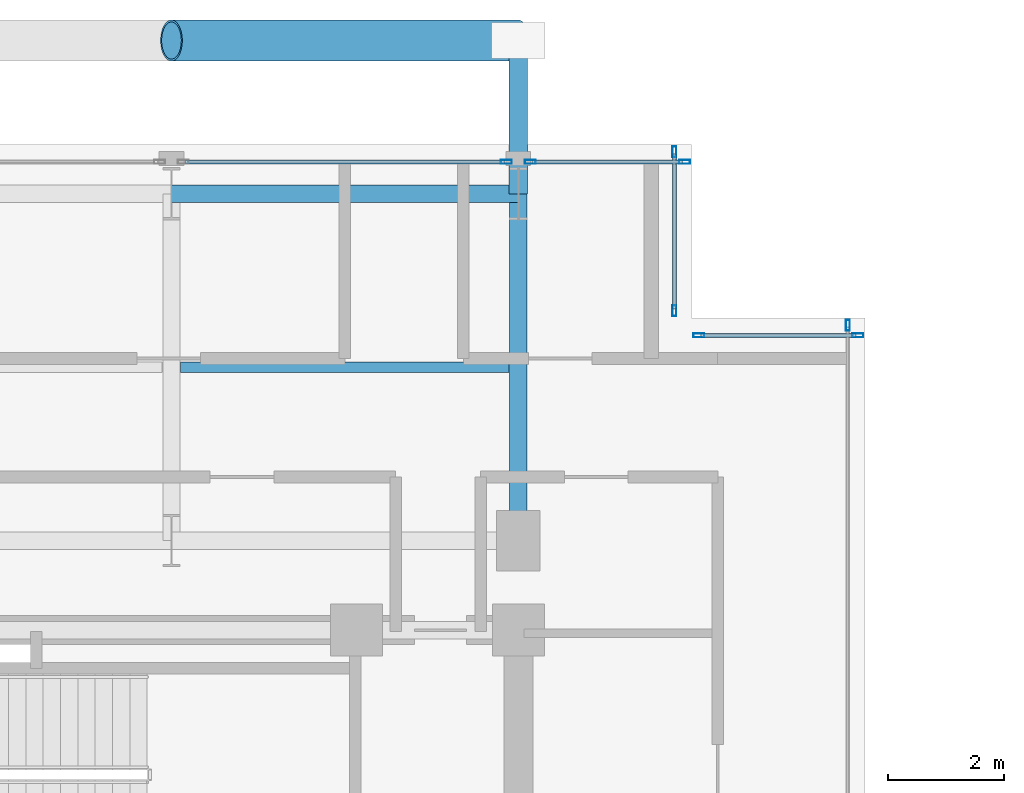
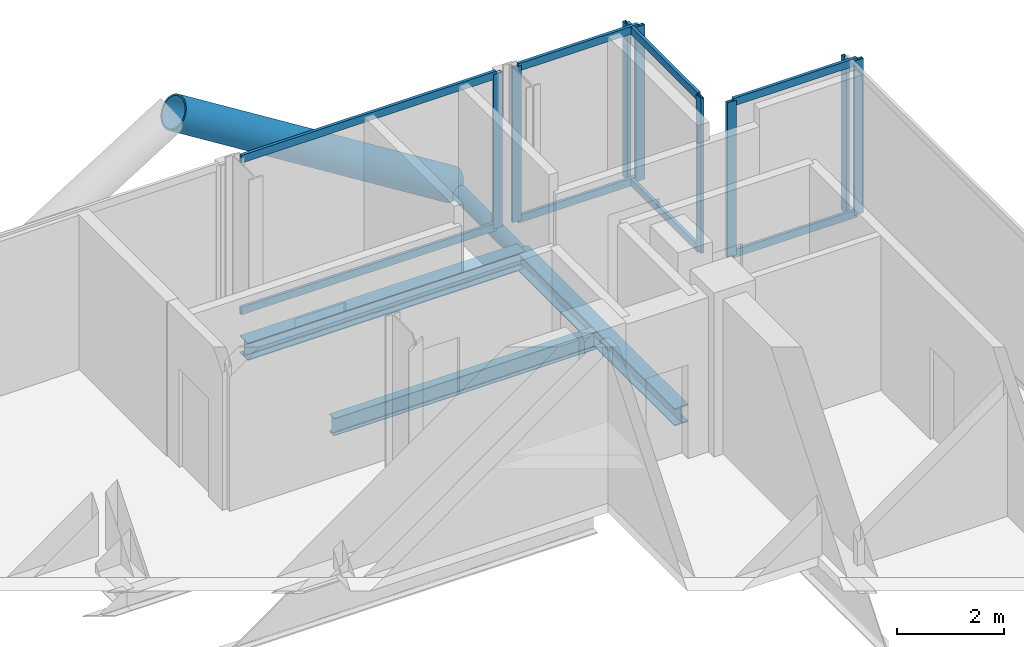
# One storey, part 15 of 26: 18 members, 3 beams, 5 elements without a shape of their own.
"""IFC4 building model written with IfcOpenShell, lengths in metres."""

from ifc_helpers import new_model, si_unit, direction, frame, origin, origin_2d, place, context, subcontext, project, spatial, hollow_rectangle, hollow_circle, i_section, extrude, material, layer, layer_set, material_profile, profile_set, type_object, element, aggregate, save


model = new_model("IFC4")

# Units and contexts
model_context = context("Model", 3, precision=1e-05, world=origin(), true_north=direction((0.0, 1.0)))
body_context = subcontext(model_context, "Body", "Model", "MODEL_VIEW")
ifc_project = project(units=[si_unit("LENGTHUNIT", "METRE"), si_unit("AREAUNIT", "SQUARE_METRE"), si_unit("VOLUMEUNIT", "CUBIC_METRE"), si_unit("PLANEANGLEUNIT", "RADIAN"), si_unit("MASSUNIT", "GRAM", prefix="KILO"), si_unit("THERMODYNAMICTEMPERATUREUNIT", "KELVIN"), si_unit("POWERUNIT", "WATT")], contexts=[model_context])

# Site, building, storey
site_placement = place(None, origin())
site = spatial("IfcSite", under=ifc_project, at=site_placement, CompositionType="ELEMENT")
building_placement = place(site_placement, origin())
building = spatial("IfcBuilding", under=site, at=building_placement, Name="Svarakhadi Broadcast Tower", CompositionType="ELEMENT")
storey_placement = place(building_placement, frame((0.0, 0.0, 180.449951171875)))
storey = spatial("IfcBuildingStorey", under=building, at=storey_placement, Name="L44", CompositionType="ELEMENT", Elevation=180.449951171875)

# Beam
ifc_material_1 = material(Name="Steel S355J2 (IS 2062 E350C)", Category="steel")
ifc_material_profile_1 = material_profile(ifc_material_1, i_section(OverallWidth=0.179931640625, OverallDepth=0.39990234375, WebThickness=0.008544921875, FlangeThickness=0.013427734375, FilletRadius=0.02099609375, at=origin_2d()), Name="NPB 400x180x66")
ifc_profile_set_1 = profile_set([ifc_material_profile_1], Name="Steel S355J2 (IS 2062 E350C)")
beam_type_1 = type_object("IfcBeamType", Name="Beam_NPB400", PredefinedType="BEAM", material=ifc_profile_set_1)
beam_placement = place(storey_placement, frame((12.159912109375, 32.14990234375, -0.409912109375), z_axis=(1.0, 0.0, 0.0), x_axis=(0.0, 1.0, 0.0)))
element("IfcBeam", 1, at=beam_placement, inside=storey, type_object=beam_type_1, Name="L44 Secondary Composite Beam SB012", PredefinedType="BEAM", context=body_context, shape_type="SweptSolid", body=[
    extrude(i_section(OverallWidth=0.179931640625, OverallDepth=0.39990234375, WebThickness=0.008544921875, FlangeThickness=0.013427734375, FilletRadius=0.02099609375, at=origin_2d()), origin(), (0.0, 0.0, 1.0), 5.68017578125),
])

# Curtain wall, member
ifc_material_2 = material(Name="Anodised Bronze Aluminium AA 6063-T6", Category="aluminium")
ifc_layer = layer(ifc_material_2, 0.18994140625)
ifc_layer_set = layer_set([ifc_layer], Name="Anodised Bronze Aluminium AA 6063-T6")
curtain_wall_type = type_object("IfcCurtainWallType", Name="CW_Sys_04", PredefinedType="NOTDEFINED", material=ifc_layer_set)
curtain_wall_1_placement = place(storey_placement, origin())
curtain_wall_1 = element("IfcCurtainWall", 2, at=curtain_wall_1_placement, inside=storey, type_object=curtain_wall_type, Name="L44 Unitised Facade Curtain Wall 06 Bay 2", PredefinedType="NOTDEFINED")
ifc_material_profile_2 = material_profile(ifc_material_2, hollow_rectangle(XDim=0.070068359375, YDim=0.18994140625, WallThickness=0.005615234375, at=origin_2d()), Name="ALU MULLION 190x70x6")
ifc_profile_set_2 = profile_set([ifc_material_profile_2], Name="Anodised Bronze Aluminium AA 6063-T6")
member_type_1 = type_object("IfcMemberType", Name="CW_Sys_04_Mul", PredefinedType="MULLION", material=ifc_profile_set_2)
member_1_placement = place(storey_placement, frame((17.794921875, 35.699951171875, 0.0), z_axis=(0.0, 0.0, 1.0), x_axis=(0.0, 1.0, 0.0)))
member_1 = element("IfcMember", 3, at=member_1_placement, type_object=member_type_1, Name="CW-04 mullion 2", PredefinedType="MULLION", context=body_context, shape_type="SweptSolid", body=[
    extrude(hollow_rectangle(XDim=0.070068359375, YDim=0.18994140625, WallThickness=0.005615234375, at=origin_2d()), origin(), (0.0, 0.0, 1.0), 3.5400390625),
])

# Curtain wall, members
curtain_wall_2_placement = place(storey_placement, origin())
curtain_wall_2 = element("IfcCurtainWall", 4, at=curtain_wall_2_placement, inside=storey, type_object=curtain_wall_type, Name="L44 Unitised Facade Curtain Wall 06 Bay 3", PredefinedType="NOTDEFINED")
member_2_placement = place(storey_placement, frame((18.205078125, 35.699951171875, 0.0), z_axis=(0.0, 0.0, 1.0), x_axis=(0.0, 1.0, 0.0)))
member_2 = element("IfcMember", 5, at=member_2_placement, type_object=member_type_1, Name="CW-04 mullion 1", PredefinedType="MULLION", context=body_context, shape_type="SweptSolid", body=[
    extrude(hollow_rectangle(XDim=0.070068359375, YDim=0.18994140625, WallThickness=0.005615234375, at=origin_2d()), origin(), (0.0, 0.0, 1.0), 3.5400390625),
])
member_3_placement = place(storey_placement, frame((20.875, 35.699951171875, 0.0), z_axis=(0.0, 0.0, 1.0), x_axis=(0.0, 1.0, 0.0)))
member_3 = element("IfcMember", 6, at=member_3_placement, type_object=member_type_1, Name="CW-04 mullion 2", PredefinedType="MULLION", context=body_context, shape_type="SweptSolid", body=[
    extrude(hollow_rectangle(XDim=0.070068359375, YDim=0.18994140625, WallThickness=0.005615234375, at=origin_2d()), origin(), (0.0, 0.0, 1.0), 3.5400390625),
])

curtain_wall_3_placement = place(storey_placement, origin())
curtain_wall_3 = element("IfcCurtainWall", 7, at=curtain_wall_3_placement, inside=storey, type_object=curtain_wall_type, Name="L44 Unitised Facade Curtain Wall 07", PredefinedType="NOTDEFINED")
member_4_placement = place(storey_placement, frame((20.699951171875, 35.875, 0.0), z_axis=(0.0, 0.0, 1.0), x_axis=(1.0, 0.0, 0.0)))
member_4 = element("IfcMember", 8, at=member_4_placement, type_object=member_type_1, Name="CW-04 mullion 1", PredefinedType="MULLION", context=body_context, shape_type="SweptSolid", body=[
    extrude(hollow_rectangle(XDim=0.070068359375, YDim=0.18994140625, WallThickness=0.005615234375, at=origin_2d()), origin(), (0.0, 0.0, 1.0), 3.5400390625),
])
member_5_placement = place(storey_placement, frame((20.699951171875, 33.125, 0.0), z_axis=(0.0, 0.0, 1.0), x_axis=(1.0, 0.0, 0.0)))
member_5 = element("IfcMember", 9, at=member_5_placement, type_object=member_type_1, Name="CW-04 mullion 2", PredefinedType="MULLION", context=body_context, shape_type="SweptSolid", body=[
    extrude(hollow_rectangle(XDim=0.070068359375, YDim=0.18994140625, WallThickness=0.005615234375, at=origin_2d()), origin(), (0.0, 0.0, 1.0), 3.5400390625),
])

curtain_wall_4_placement = place(storey_placement, origin())
curtain_wall_4 = element("IfcCurtainWall", 10, at=curtain_wall_4_placement, inside=storey, type_object=curtain_wall_type, Name="L44 Unitised Facade Curtain Wall 08", PredefinedType="NOTDEFINED")
member_6_placement = place(storey_placement, frame((21.125, 32.699951171875, 0.0), z_axis=(0.0, 0.0, 1.0), x_axis=(0.0, 1.0, 0.0)))
member_6 = element("IfcMember", 11, at=member_6_placement, type_object=member_type_1, Name="CW-04 mullion 1", PredefinedType="MULLION", context=body_context, shape_type="SweptSolid", body=[
    extrude(hollow_rectangle(XDim=0.070068359375, YDim=0.18994140625, WallThickness=0.005615234375, at=origin_2d()), origin(), (0.0, 0.0, 1.0), 3.5400390625),
])
member_7_placement = place(storey_placement, frame((23.875, 32.699951171875, 0.0), z_axis=(0.0, 0.0, 1.0), x_axis=(0.0, 1.0, 0.0)))
member_7 = element("IfcMember", 12, at=member_7_placement, type_object=member_type_1, Name="CW-04 mullion 2", PredefinedType="MULLION", context=body_context, shape_type="SweptSolid", body=[
    extrude(hollow_rectangle(XDim=0.070068359375, YDim=0.18994140625, WallThickness=0.005615234375, at=origin_2d()), origin(), (0.0, 0.0, 1.0), 3.5400390625),
])

# Curtain wall, member
curtain_wall_5_placement = place(storey_placement, origin())
curtain_wall_5 = element("IfcCurtainWall", 13, at=curtain_wall_5_placement, inside=storey, type_object=curtain_wall_type, Name="L44 Unitised Facade Curtain Wall 09", PredefinedType="NOTDEFINED")
member_8_placement = place(storey_placement, frame((23.699951171875, 32.875, 0.0), z_axis=(0.0, 0.0, 1.0), x_axis=(1.0, 0.0, 0.0)))
member_8 = element("IfcMember", 14, at=member_8_placement, type_object=member_type_1, Name="CW-04 mullion 1", PredefinedType="MULLION", context=body_context, shape_type="SweptSolid", body=[
    extrude(hollow_rectangle(XDim=0.070068359375, YDim=0.18994140625, WallThickness=0.005615234375, at=origin_2d()), origin(), (0.0, 0.0, 1.0), 3.5400390625),
])
aggregate(curtain_wall_5, [member_8])

# Member
ifc_material_profile_3 = material_profile(ifc_material_2, hollow_rectangle(XDim=0.06494140625, YDim=0.175048828125, WallThickness=0.0048828125, at=origin_2d()), Name="ALU TRANSOM 175x65x5")
ifc_profile_set_3 = profile_set([ifc_material_profile_3], Name="Anodised Bronze Aluminium AA 6063-T6")
member_type_2 = type_object("IfcMemberType", Name="CW_Sys_04_Trn", PredefinedType="USERDEFINED", material=ifc_profile_set_3)
member_9_placement = place(storey_placement, frame((12.239990234375, 35.699951171875, 0.032470703125), z_axis=(1.0, 0.0, 0.0), x_axis=(0.0, 1.0, 0.0)))
member_9 = element("IfcMember", 15, at=member_9_placement, type_object=member_type_2, Name="CW-04 transom 1.1", ObjectType="TRANSOM", PredefinedType="USERDEFINED", context=body_context, shape_type="SweptSolid", body=[
    extrude(hollow_rectangle(XDim=0.06494140625, YDim=0.175048828125, WallThickness=0.0048828125, at=origin_2d()), origin(), (0.0, 0.0, 1.0), 5.52001953125),
])

member_10_placement = place(storey_placement, frame((12.239990234375, 35.699951171875, 3.507568359375), z_axis=(1.0, 0.0, 0.0), x_axis=(0.0, 1.0, 0.0)))
member_10 = element("IfcMember", 16, at=member_10_placement, type_object=member_type_2, Name="CW-04 transom 1.2", ObjectType="TRANSOM", PredefinedType="USERDEFINED", context=body_context, shape_type="SweptSolid", body=[
    extrude(hollow_rectangle(XDim=0.06494140625, YDim=0.175048828125, WallThickness=0.0048828125, at=origin_2d()), origin(), (0.0, 0.0, 1.0), 5.52001953125),
])

aggregate(curtain_wall_1, [member_1, member_9, member_10])

member_11_placement = place(storey_placement, frame((18.239990234375, 35.699951171875, 0.032470703125), z_axis=(1.0, 0.0, 0.0), x_axis=(0.0, 1.0, 0.0)))
member_11 = element("IfcMember", 17, at=member_11_placement, type_object=member_type_2, Name="CW-04 transom 1.1", ObjectType="TRANSOM", PredefinedType="USERDEFINED", context=body_context, shape_type="SweptSolid", body=[
    extrude(hollow_rectangle(XDim=0.06494140625, YDim=0.175048828125, WallThickness=0.0048828125, at=origin_2d()), origin(), (0.0, 0.0, 1.0), 2.60009765625),
])

member_12_placement = place(storey_placement, frame((18.239990234375, 35.699951171875, 3.507568359375), z_axis=(1.0, 0.0, 0.0), x_axis=(0.0, 1.0, 0.0)))
member_12 = element("IfcMember", 18, at=member_12_placement, type_object=member_type_2, Name="CW-04 transom 1.2", ObjectType="TRANSOM", PredefinedType="USERDEFINED", context=body_context, shape_type="SweptSolid", body=[
    extrude(hollow_rectangle(XDim=0.06494140625, YDim=0.175048828125, WallThickness=0.0048828125, at=origin_2d()), origin(), (0.0, 0.0, 1.0), 2.60009765625),
])

aggregate(curtain_wall_2, [member_2, member_3, member_11, member_12])

member_13_placement = place(storey_placement, frame((20.699951171875, 35.840087890625, 0.032470703125), z_axis=(0.0, -1.0, 0.0), x_axis=(1.0, 0.0, 0.0)))
member_13 = element("IfcMember", 19, at=member_13_placement, type_object=member_type_2, Name="CW-04 transom 1.1", ObjectType="TRANSOM", PredefinedType="USERDEFINED", context=body_context, shape_type="SweptSolid", body=[
    extrude(hollow_rectangle(XDim=0.06494140625, YDim=0.175048828125, WallThickness=0.0048828125, at=origin_2d()), origin(), (0.0, 0.0, 1.0), 2.68017578125),
])

member_14_placement = place(storey_placement, frame((20.699951171875, 35.840087890625, 3.507568359375), z_axis=(0.0, -1.0, 0.0), x_axis=(1.0, 0.0, 0.0)))
member_14 = element("IfcMember", 20, at=member_14_placement, type_object=member_type_2, Name="CW-04 transom 1.2", ObjectType="TRANSOM", PredefinedType="USERDEFINED", context=body_context, shape_type="SweptSolid", body=[
    extrude(hollow_rectangle(XDim=0.06494140625, YDim=0.175048828125, WallThickness=0.0048828125, at=origin_2d()), origin(), (0.0, 0.0, 1.0), 2.68017578125),
])

aggregate(curtain_wall_3, [member_4, member_5, member_13, member_14])

member_15_placement = place(storey_placement, frame((21.159912109375, 32.699951171875, 0.032470703125), z_axis=(1.0, 0.0, 0.0), x_axis=(0.0, 1.0, 0.0)))
member_15 = element("IfcMember", 21, at=member_15_placement, type_object=member_type_2, Name="CW-04 transom 1.1", ObjectType="TRANSOM", PredefinedType="USERDEFINED", context=body_context, shape_type="SweptSolid", body=[
    extrude(hollow_rectangle(XDim=0.06494140625, YDim=0.175048828125, WallThickness=0.0048828125, at=origin_2d()), origin(), (0.0, 0.0, 1.0), 2.68017578125),
])

member_16_placement = place(storey_placement, frame((21.159912109375, 32.699951171875, 3.507568359375), z_axis=(1.0, 0.0, 0.0), x_axis=(0.0, 1.0, 0.0)))
member_16 = element("IfcMember", 22, at=member_16_placement, type_object=member_type_2, Name="CW-04 transom 1.2", ObjectType="TRANSOM", PredefinedType="USERDEFINED", context=body_context, shape_type="SweptSolid", body=[
    extrude(hollow_rectangle(XDim=0.06494140625, YDim=0.175048828125, WallThickness=0.0048828125, at=origin_2d()), origin(), (0.0, 0.0, 1.0), 2.68017578125),
])

aggregate(curtain_wall_4, [member_6, member_7, member_15, member_16])

# Members
ifc_material_3 = material(Name="Steel S460ML (IS 2062 E450BR)", Category="steel")
ifc_material_profile_4 = material_profile(ifc_material_3, hollow_circle(Radius=0.35546875, WallThickness=0.034912109375, at=origin_2d()), Name="CHS 711x35")
ifc_profile_set_4 = profile_set([ifc_material_profile_4], Name="Steel S460ML (IS 2062 E450BR)")
member_type_3 = type_object("IfcMemberType", Name="Exo_Brace_CHS711", PredefinedType="BRACE", material=ifc_profile_set_4)
member_17_placement = place(storey_placement, frame((18.0, 37.800048828125, -0.371826171875), z_axis=(-0.847998304005, 0.0, 0.529998940003), x_axis=(0.0, -1.0, 0.0)))
element("IfcMember", 23, at=member_17_placement, inside=storey, type_object=member_type_3, Name="L44 Exposed Bronze Exoskeleton Diagonal N09", PredefinedType="BRACE", context=body_context, shape_type="SweptSolid", body=[
    extrude(hollow_circle(Radius=0.35546875, WallThickness=0.034912109375, at=origin_2d()), origin(), (0.0, 0.0, 1.0), 7.075439453125),
])
ifc_material_profile_5 = material_profile(ifc_material_3, hollow_circle(Radius=0.161865234375, WallThickness=0.01611328125, at=origin_2d()), Name="CHS 323.9x16")
ifc_profile_set_5 = profile_set([ifc_material_profile_5], Name="Steel S460ML (IS 2062 E450BR)")
member_type_4 = type_object("IfcMemberType", Name="Exo_Radial_Strut_Z2", PredefinedType="STRUT", material=ifc_profile_set_5)
member_18_placement = place(storey_placement, frame((18.0, 37.800048828125, -0.371826171875), z_axis=(0.0, -1.0, 0.0), x_axis=(1.0, 0.0, 0.0)))
element("IfcMember", 24, at=member_18_placement, inside=storey, type_object=member_type_4, Name="L44 Exoskeleton Radial Tie Strut N10", PredefinedType="STRUT", context=body_context, shape_type="SweptSolid", body=[
    extrude(hollow_circle(Radius=0.161865234375, WallThickness=0.01611328125, at=origin_2d()), origin(), (0.0, 0.0, 1.0), 2.650146484375),
])

# Beams
ifc_material_profile_6 = material_profile(ifc_material_1, i_section(OverallWidth=0.300048828125, OverallDepth=0.39990234375, WebThickness=0.013427734375, FlangeThickness=0.02392578125, FilletRadius=0.027099609375, at=origin_2d()), Name="WPB 400x300x155")
ifc_profile_set_6 = profile_set([ifc_material_profile_6], Name="Steel S355J2 (IS 2062 E350C)")
beam_type_2 = type_object("IfcBeamType", Name="Girder_WPB400", PredefinedType="USERDEFINED", material=ifc_profile_set_6)
for number, where, z_axis, x_axis, name in (
    (25, (12.0, 35.14990234375, -0.409912109375), (1.0, 0.0, 0.0), (0.0, 1.0, 0.0), "L44 Primary E-W Girder G032"),
    (26, (18.0, 29.14990234375, -0.409912109375), (0.0, 1.0, 0.0), (-1.0, 0.0, 0.0), "L44 Primary N-S Girder G050"),
):
    element("IfcBeam", number, at=place(storey_placement, frame(where, z_axis=z_axis, x_axis=x_axis)), inside=storey, type_object=beam_type_2, Name=name, ObjectType="GIRDER", PredefinedType="USERDEFINED", context=body_context, shape_type="SweptSolid", body=[
        extrude(i_section(OverallWidth=0.300048828125, OverallDepth=0.39990234375, WebThickness=0.013427734375, FlangeThickness=0.02392578125, FilletRadius=0.027099609375, at=origin_2d()), origin(), (0.0, 0.0, 1.0), 6.0),
    ])

save(model, "model.ifc")
